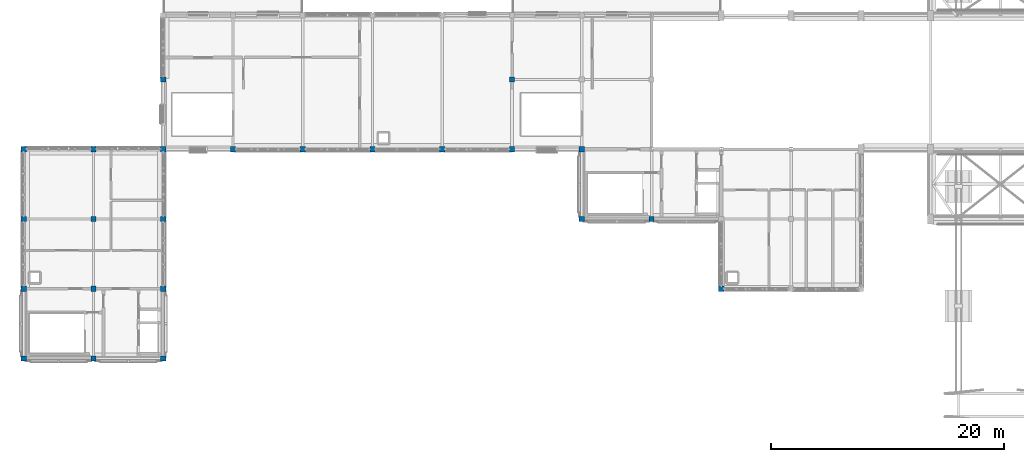
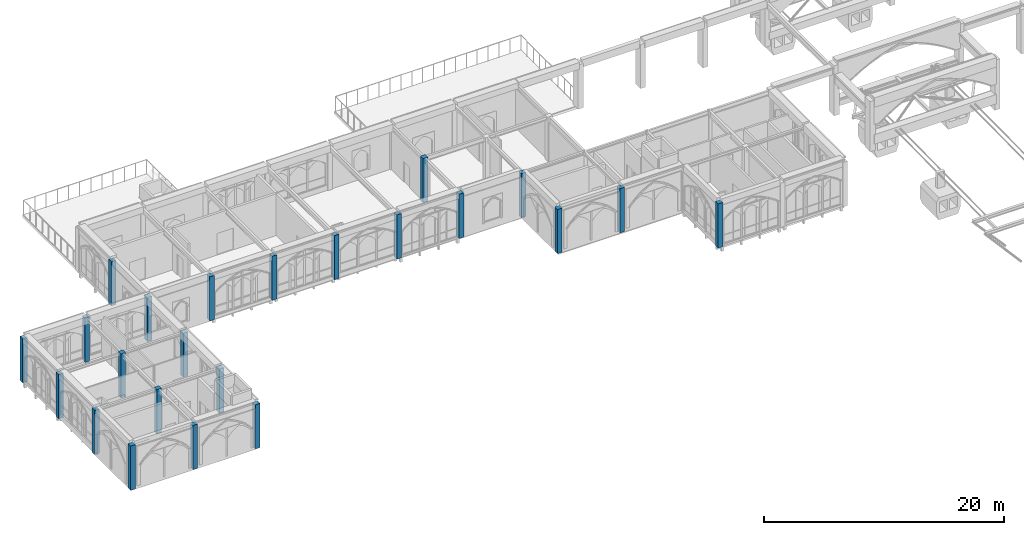
# One storey, part 1 of 59: 23 columns.
"""IFC4 building model written with IfcOpenShell, lengths in metres."""

from ifc_helpers import new_model, si_unit, direction, frame, origin, origin_2d, place, context, subcontext, project, spatial, rectangle, extrude, material, material_profile, profile_set, type_object, element, save


model = new_model("IFC4")

# Units and contexts
model_context = context("Model", 3, precision=1e-05, world=origin(), true_north=direction((0.0, 1.0)))
body_context = subcontext(model_context, "Body", "Model", "MODEL_VIEW")
ifc_project = project(units=[si_unit("LENGTHUNIT", "METRE"), si_unit("AREAUNIT", "SQUARE_METRE"), si_unit("VOLUMEUNIT", "CUBIC_METRE"), si_unit("PLANEANGLEUNIT", "RADIAN"), si_unit("MASSUNIT", "GRAM", prefix="KILO")], contexts=[model_context])

# Site, building, storey
site_placement = place(None, origin())
site = spatial("IfcSite", under=ifc_project, at=site_placement, CompositionType="ELEMENT")
building_placement = place(site_placement, origin())
building = spatial("IfcBuilding", under=site, at=building_placement, Name="Cumevento Cable Car Station", CompositionType="ELEMENT")
storey_placement = place(building_placement, frame((0.0, 0.0, 18.0)))
storey = spatial("IfcBuildingStorey", under=building, at=storey_placement, Name="L05", CompositionType="ELEMENT", Elevation=18.0)

# Columns
ifc_material = material(Name="Concrete C40/50", Category="concrete")
ifc_material_profile = material_profile(ifc_material, rectangle(XDim=0.449951171875, YDim=0.449951171875, at=origin_2d()), Name="RC450x450")
ifc_profile_set = profile_set([ifc_material_profile], Name="Concrete C40/50")
column_type = type_object("IfcColumnType", Name="Column C-RC450 RC450x450", PredefinedType="COLUMN", material=ifc_profile_set)
for number, where, z_axis, x_axis, name in (
    (1, (10.0, 27.0, 0.0), (0.0, 0.0, 1.0), (1.0, 0.0, 0.0), "Column C-RC450 L05 (10.0,27.0)"),
    (2, (10.0, 33.0, 0.0), (0.0, 0.0, 1.0), (1.0, 0.0, 0.0), "Column C-RC450 L05 (10.0,33.0)"),
    (3, (10.0, 39.0, 0.0), (0.0, 0.0, 1.0), (1.0, 0.0, 0.0), "Column C-RC450 L05 (10.0,39.0)"),
    (4, (10.0, 45.0, 0.0), (0.0, 0.0, 1.0), (1.0, 0.0, 0.0), "Column C-RC450 L05 (10.0,45.0)"),
    (5, (16.0, 27.0, 0.0), (0.0, 0.0, 1.0), (1.0, 0.0, 0.0), "Column C-RC450 L05 (16.0,27.0)"),
    (6, (16.0, 33.0, 0.0), (0.0, 0.0, 1.0), (1.0, 0.0, 0.0), "Column C-RC450 L05 (16.0,33.0)"),
    (7, (16.0, 39.0, 0.0), (0.0, 0.0, 1.0), (1.0, 0.0, 0.0), "Column C-RC450 L05 (16.0,39.0)"),
    (8, (16.0, 45.0, 0.0), (0.0, 0.0, 1.0), (1.0, 0.0, 0.0), "Column C-RC450 L05 (16.0,45.0)"),
    (9, (22.0, 27.0, 0.0), (0.0, 0.0, 1.0), (1.0, 0.0, 0.0), "Column C-RC450 L05 (22.0,27.0)"),
    (10, (22.0, 33.0, 0.0), (0.0, 0.0, 1.0), (1.0, 0.0, 0.0), "Column C-RC450 L05 (22.0,33.0)"),
    (11, (22.0, 39.0, 0.0), (0.0, 0.0, 1.0), (1.0, 0.0, 0.0), "Column C-RC450 L05 (22.0,39.0)"),
    (12, (22.0, 45.0, 0.0), (0.0, 0.0, 1.0), (1.0, 0.0, 0.0), "Column C-RC450 L05 (22.0,45.0)"),
    (13, (22.0, 51.0, 0.0), (0.0, 0.0, 1.0), (1.0, 0.0, 0.0), "Column C-RC450 L05 (22.0,51.0)"),
    (14, (28.0, 45.0, 0.0), (0.0, 0.0, 1.0), (1.0, 0.0, 0.0), "Column C-RC450 L05 (28.0,45.0)"),
    (15, (34.0, 45.0, 0.0), (0.0, 0.0, 1.0), (1.0, 0.0, 0.0), "Column C-RC450 L05 (34.0,45.0)"),
    (16, (40.0, 45.0, 0.0), (0.0, 0.0, 1.0), (1.0, 0.0, 0.0), "Column C-RC450 L05 (40.0,45.0)"),
    (17, (46.0, 45.0, 0.0), (0.0, 0.0, 1.0), (1.0, 0.0, 0.0), "Column C-RC450 L05 (46.0,45.0)"),
    (18, (52.0, 45.0, 0.0), (0.0, 0.0, 1.0), (1.0, 0.0, 0.0), "Column C-RC450 L05 (52.0,45.0)"),
    (19, (52.0, 51.0, 0.0), (0.0, 0.0, 1.0), (1.0, 0.0, 0.0), "Column C-RC450 L05 (52.0,51.0)"),
    (20, (58.0, 39.0, 0.0), (0.0, 0.0, 1.0), (1.0, 0.0, 0.0), "Column C-RC450 L05 (58.0,39.0)"),
    (21, (58.0, 45.0, 0.0), (0.0, 0.0, 1.0), (1.0, 0.0, 0.0), "Column C-RC450 L05 (58.0,45.0)"),
    (22, (64.0, 39.0, 0.0), (0.0, 0.0, 1.0), (1.0, 0.0, 0.0), "Column C-RC450 L05 (64.0,39.0)"),
    (23, (70.0, 33.0, 0.0), (0.0, 0.0, 1.0), (1.0, 0.0, 0.0), "Column C-RC450 L05 (70.0,33.0)"),
):
    element("IfcColumn", number, at=place(storey_placement, frame(where, z_axis=z_axis, x_axis=x_axis)), inside=storey, type_object=column_type, Name=name, PredefinedType="COLUMN", context=body_context, shape_type="SweptSolid", body=[
        extrude(rectangle(XDim=0.449951171875, YDim=0.449951171875, at=origin_2d()), origin(), (0.0, 0.0, 1.0), 4.5),
    ])

save(model, "model.ifc")
